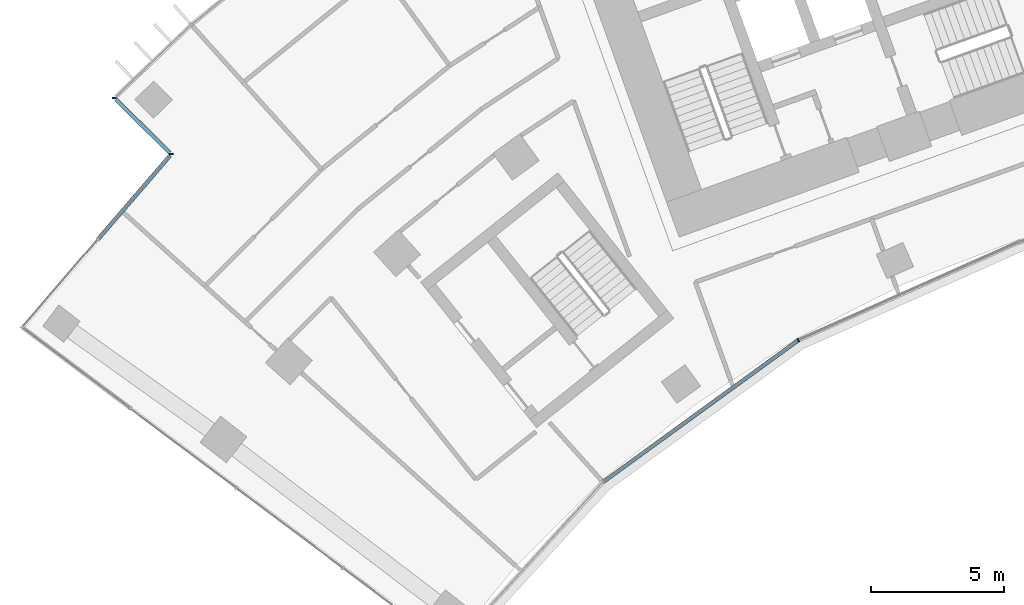
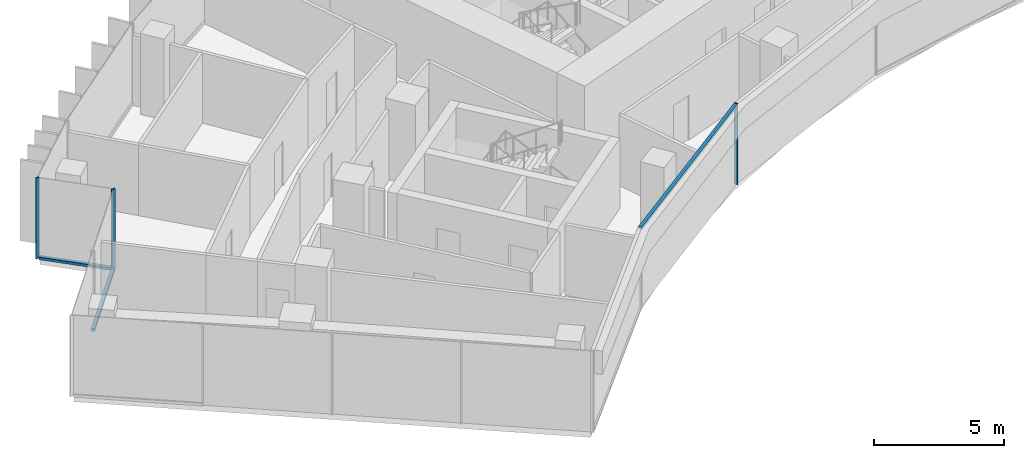
# One storey, part 3 of 21: 6 members, 3 elements without a shape of their own.
"""IFC4 building model written with IfcOpenShell, lengths in metres."""

from ifc_helpers import new_model, si_unit, direction, frame, origin, origin_2d, place, context, subcontext, project, spatial, rectangle, extrude, material, layer, layer_set, material_profile, profile_set, type_object, element, aggregate, save


model = new_model("IFC4")

# Units and contexts
model_context = context("Model", 3, precision=1e-05, world=origin(), true_north=direction((0.0, 1.0)))
body_context = subcontext(model_context, "Body", "Model", "MODEL_VIEW")
ifc_project = project(units=[si_unit("LENGTHUNIT", "METRE"), si_unit("AREAUNIT", "SQUARE_METRE"), si_unit("VOLUMEUNIT", "CUBIC_METRE"), si_unit("PLANEANGLEUNIT", "RADIAN"), si_unit("MASSUNIT", "GRAM", prefix="KILO")], contexts=[model_context])

# Site, building, storey
site_placement = place(None, origin())
site = spatial("IfcSite", under=ifc_project, at=site_placement, CompositionType="ELEMENT")
building_placement = place(site_placement, origin())
building = spatial("IfcBuilding", under=site, at=building_placement, Name="Stone Belt Terrace Tower", CompositionType="ELEMENT")
storey_placement = place(building_placement, frame((0.0, 0.0, 189.60009765625)))
storey = spatial("IfcBuildingStorey", under=building, at=storey_placement, Name="L46", CompositionType="ELEMENT", Elevation=189.60009765625)

# Curtain wall, members
ifc_material = material(Name="Aluminium 6063-T6 anodised frame", Category="aluminium")
ifc_layer_1 = layer(ifc_material, 0.14990234375)
ifc_layer_set_1 = layer_set([ifc_layer_1], Name="CW-B unitised concave-face curtain wall")
curtain_wall_type_1 = type_object("IfcCurtainWallType", Name="CW-B unitised concave-face curtain wall", PredefinedType="NOTDEFINED", material=ifc_layer_set_1)
curtain_wall_1_placement = place(storey_placement, origin())
curtain_wall_1 = element("IfcCurtainWall", 1, at=curtain_wall_1_placement, inside=storey, type_object=curtain_wall_type_1, Name="CW-B concave face L46", PredefinedType="NOTDEFINED")
ifc_material_profile_1 = material_profile(ifc_material, rectangle(XDim=0.14990234375, YDim=0.050048828125, at=origin_2d()), Name="Aluminium 6063-T6 50x150")
ifc_profile_set_1 = profile_set([ifc_material_profile_1], Name="Aluminium 6063-T6 anodised frame")
member_type_1 = type_object("IfcMemberType", Name="CW-B mullion 50 x 150", PredefinedType="MULLION", material=ifc_profile_set_1)
member_1_placement = place(storey_placement, frame((-21.71240234375, 37.606689453125, 0.0), z_axis=(0.0, 0.0, 1.0), x_axis=(-0.5, 0.866025403784, 0.0)))
member_1 = element("IfcMember", 2, at=member_1_placement, type_object=member_type_1, Name="CW-B mullion 3", PredefinedType="MULLION", context=body_context, shape_type="SweptSolid", body=[
    extrude(rectangle(XDim=0.14990234375, YDim=0.050048828125, at=origin_2d()), origin(), (0.0, 0.0, 1.0), 3.7998046875),
])
ifc_material_profile_2 = material_profile(ifc_material, rectangle(XDim=0.14990234375, YDim=0.1201171875, at=origin_2d()), Name="Aluminium 6063-T6 150x120")
ifc_profile_set_2 = profile_set([ifc_material_profile_2], Name="Aluminium 6063-T6 anodised frame")
member_type_2 = type_object("IfcMemberType", Name="CW-B transom 120 x 150", PredefinedType="USERDEFINED", material=ifc_profile_set_2)
member_2_placement = place(storey_placement, frame((-29.03076171875, 32.28955078125, 3.739990234375), z_axis=(0.809008908433, 0.587796381475, 0.0), x_axis=(-0.587796381475, 0.809008908433, 0.0)))
member_2 = element("IfcMember", 3, at=member_2_placement, type_object=member_type_2, Name="CW-B transom 2.1", ObjectType="TRANSOM", PredefinedType="USERDEFINED", context=body_context, shape_type="SweptSolid", body=[
    extrude(rectangle(XDim=0.14990234375, YDim=0.1201171875, at=origin_2d()), origin(), (0.0, 0.0, 1.0), 9.013427734375),
])
aggregate(curtain_wall_1, [member_1, member_2])

# Curtain wall, member
ifc_layer_2 = layer(ifc_material, 0.14990234375)
ifc_layer_set_2 = layer_set([ifc_layer_2], Name="CW-C stick curtain wall, horn ends and notches")
curtain_wall_type_2 = type_object("IfcCurtainWallType", Name="CW-C stick curtain wall, horn ends and notches", PredefinedType="NOTDEFINED", material=ifc_layer_set_2)
curtain_wall_2_placement = place(storey_placement, origin())
curtain_wall_2 = element("IfcCurtainWall", 4, at=curtain_wall_2_placement, inside=storey, type_object=curtain_wall_type_2, Name="CW-C notch face L46", PredefinedType="NOTDEFINED")
ifc_material_profile_3 = material_profile(ifc_material, rectangle(XDim=0.14990234375, YDim=0.06005859375, at=origin_2d()), Name="Aluminium 6063-T6 60x150")
ifc_profile_set_3 = profile_set([ifc_material_profile_3], Name="Aluminium 6063-T6 anodised frame")
member_type_3 = type_object("IfcMemberType", Name="CW-C mullion 60 x 150", PredefinedType="MULLION", material=ifc_profile_set_3)
member_3_placement = place(storey_placement, frame((-47.4365234375, 46.715087890625, 0.0), z_axis=(0.0, 0.0, 1.0), x_axis=(0.999966480105, -0.008187714406, 0.0)))
member_3 = element("IfcMember", 5, at=member_3_placement, type_object=member_type_3, Name="CW-C mullion 1", PredefinedType="MULLION", context=body_context, shape_type="SweptSolid", body=[
    extrude(rectangle(XDim=0.14990234375, YDim=0.06005859375, at=origin_2d()), origin(), (0.0, 0.0, 1.0), 3.7998046875),
])

curtain_wall_3_placement = place(storey_placement, origin())
curtain_wall_3 = element("IfcCurtainWall", 6, at=curtain_wall_3_placement, inside=storey, type_object=curtain_wall_type_2, Name="CW-C notch face L46", PredefinedType="NOTDEFINED")
member_4_placement = place(storey_placement, frame((-45.29638671875, 44.602783203125, 0.0), z_axis=(0.0, 0.0, 1.0), x_axis=(0.999185209744, 0.040359839301, 0.0)))
member_4 = element("IfcMember", 7, at=member_4_placement, type_object=member_type_3, Name="CW-C mullion 1", PredefinedType="MULLION", context=body_context, shape_type="SweptSolid", body=[
    extrude(rectangle(XDim=0.14990234375, YDim=0.06005859375, at=origin_2d()), origin(), (0.0, 0.0, 1.0), 3.7998046875),
])

# Member
ifc_material_profile_4 = material_profile(ifc_material, rectangle(XDim=0.14990234375, YDim=0.1201171875, at=origin_2d()), Name="Aluminium 6063-T6 150x120")
ifc_profile_set_4 = profile_set([ifc_material_profile_4], Name="Aluminium 6063-T6 anodised frame")
member_type_4 = type_object("IfcMemberType", Name="CW-C transom 120 x 150", PredefinedType="USERDEFINED", material=ifc_profile_set_4)
member_5_placement = place(storey_placement, frame((-47.383544921875, 46.66259765625, 0.059814453125), z_axis=(0.711744791626, -0.702438147877, 0.0), x_axis=(0.702438147877, 0.711744791626, 0.0)))
member_5 = element("IfcMember", 8, at=member_5_placement, type_object=member_type_4, Name="CW-C transom 1.1", ObjectType="TRANSOM", PredefinedType="USERDEFINED", context=body_context, shape_type="SweptSolid", body=[
    extrude(rectangle(XDim=0.14990234375, YDim=0.1201171875, at=origin_2d()), origin(), (0.0, 0.0, 1.0), 2.859375),
])

aggregate(curtain_wall_2, [member_3, member_5])

member_6_placement = place(storey_placement, frame((-45.343994140625, 44.54736328125, 0.059814453125), z_axis=(-0.652755588772, -0.757568572029, 0.0), x_axis=(0.757568572029, -0.652755588772, 0.0)))
member_6 = element("IfcMember", 9, at=member_6_placement, type_object=member_type_4, Name="CW-C transom 1.1", ObjectType="TRANSOM", PredefinedType="USERDEFINED", context=body_context, shape_type="SweptSolid", body=[
    extrude(rectangle(XDim=0.14990234375, YDim=0.1201171875, at=origin_2d()), origin(), (0.0, 0.0, 1.0), 4.12060546875),
])

aggregate(curtain_wall_3, [member_4, member_6])

save(model, "model.ifc")
